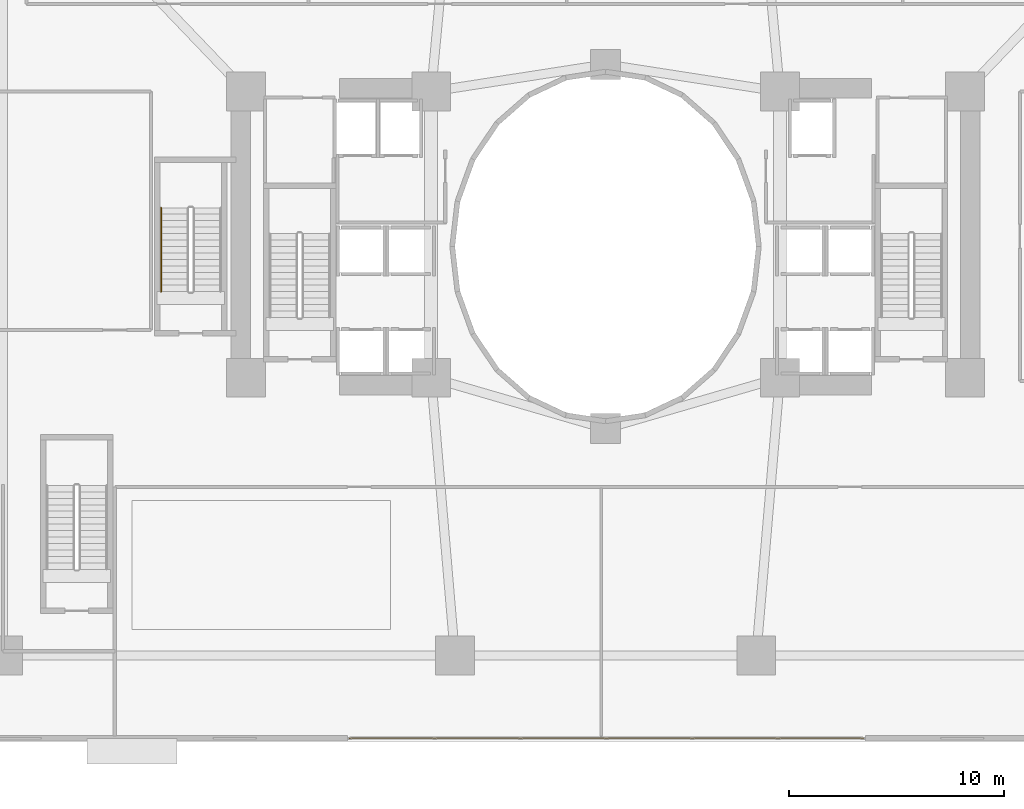
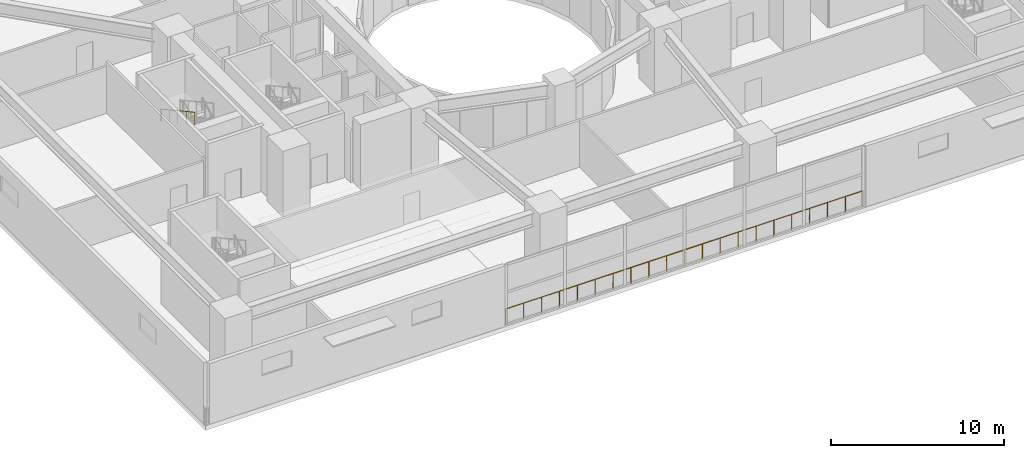
# One storey, part 16 of 20: 2 railings.
"""IFC4 building model written with IfcOpenShell, lengths in metres."""

from ifc_helpers import new_model, si_unit, direction, frame, origin, origin_2d, place, context, subcontext, project, spatial, circle, extrude, material, type_object, element, save


model = new_model("IFC4")

# Units and contexts
model_context = context("Model", 3, precision=1e-05, world=origin(), true_north=direction((0.0, 1.0)))
body_context = subcontext(model_context, "Body", "Model", "MODEL_VIEW")
ifc_project = project(units=[si_unit("LENGTHUNIT", "METRE"), si_unit("AREAUNIT", "SQUARE_METRE"), si_unit("VOLUMEUNIT", "CUBIC_METRE"), si_unit("PLANEANGLEUNIT", "RADIAN"), si_unit("MASSUNIT", "GRAM", prefix="KILO")], contexts=[model_context])

# Site, building, storey
site_placement = place(None, origin())
site = spatial("IfcSite", under=ifc_project, at=site_placement, CompositionType="ELEMENT")
building_placement = place(site_placement, origin())
building = spatial("IfcBuilding", under=site, at=building_placement, Name="Solvane Sanctuary Tower", CompositionType="ELEMENT")
storey_placement = place(building_placement, frame((0.0, 0.0, 18.39990234375)))
storey = spatial("IfcBuildingStorey", under=building, at=storey_placement, Name="L05", CompositionType="ELEMENT", Elevation=18.39990234375)

# Railings
ifc_material = material(Name="Architectural Stainless Steel 316", Category="steel")
railing_type_1 = type_object("IfcRailingType", Name="Railing GR-BALC-1150", PredefinedType="BALUSTRADE", material=ifc_material)
railing_1_placement = place(storey_placement, frame((20.1201171875, 0.14990234375, 0.0)))
element("IfcRailing", 1, at=railing_1_placement, inside=storey, type_object=railing_type_1, Name="L05 Podium Curtain-Wall Sill Guard S2", PredefinedType="BALUSTRADE", context=body_context, shape_type="SweptSolid", body=[
    extrude(circle(Radius=0.02392578125, at=origin_2d()), frame((0.0, 0.0, 1.1259765625), z_axis=(1.0, 0.0, 0.0), x_axis=(0.0, 1.0, 0.0)), (0.0, 0.0, 1.0), 23.83984375),
    extrude(circle(Radius=0.02099609375, at=origin_2d()), origin(), (0.0, 0.0, 1.0), 1.101806640625),
    extrude(circle(Radius=0.02099609375, at=origin_2d()), frame((1.19189453125, 0.0, 0.0)), (0.0, 0.0, 1.0), 1.101806640625),
    extrude(circle(Radius=0.02099609375, at=origin_2d()), frame((2.384033203125, 0.0, 0.0)), (0.0, 0.0, 1.0), 1.101806640625),
    extrude(circle(Radius=0.02099609375, at=origin_2d()), frame((3.575927734375, 0.0, 0.0)), (0.0, 0.0, 1.0), 1.101806640625),
    extrude(circle(Radius=0.02099609375, at=origin_2d()), frame((4.76806640625, 0.0, 0.0)), (0.0, 0.0, 1.0), 1.101806640625),
    extrude(circle(Radius=0.02099609375, at=origin_2d()), frame((5.9599609375, 0.0, 0.0)), (0.0, 0.0, 1.0), 1.101806640625),
    extrude(circle(Radius=0.02099609375, at=origin_2d()), frame((7.15185546875, 0.0, 0.0)), (0.0, 0.0, 1.0), 1.101806640625),
    extrude(circle(Radius=0.02099609375, at=origin_2d()), frame((8.343994140625, 0.0, 0.0)), (0.0, 0.0, 1.0), 1.101806640625),
    extrude(circle(Radius=0.02099609375, at=origin_2d()), frame((9.535888671875, 0.0, 0.0)), (0.0, 0.0, 1.0), 1.101806640625),
    extrude(circle(Radius=0.02099609375, at=origin_2d()), frame((10.72802734375, 0.0, 0.0)), (0.0, 0.0, 1.0), 1.101806640625),
    extrude(circle(Radius=0.02099609375, at=origin_2d()), frame((11.919921875, 0.0, 0.0)), (0.0, 0.0, 1.0), 1.101806640625),
    extrude(circle(Radius=0.02099609375, at=origin_2d()), frame((13.11181640625, 0.0, 0.0)), (0.0, 0.0, 1.0), 1.101806640625),
    extrude(circle(Radius=0.02099609375, at=origin_2d()), frame((14.303955078125, 0.0, 0.0)), (0.0, 0.0, 1.0), 1.101806640625),
    extrude(circle(Radius=0.02099609375, at=origin_2d()), frame((15.495849609375, 0.0, 0.0)), (0.0, 0.0, 1.0), 1.101806640625),
    extrude(circle(Radius=0.02099609375, at=origin_2d()), frame((16.68798828125, 0.0, 0.0)), (0.0, 0.0, 1.0), 1.101806640625),
    extrude(circle(Radius=0.02099609375, at=origin_2d()), frame((17.8798828125, 0.0, 0.0)), (0.0, 0.0, 1.0), 1.101806640625),
    extrude(circle(Radius=0.02099609375, at=origin_2d()), frame((19.07177734375, 0.0, 0.0)), (0.0, 0.0, 1.0), 1.101806640625),
    extrude(circle(Radius=0.02099609375, at=origin_2d()), frame((20.263916015625, 0.0, 0.0)), (0.0, 0.0, 1.0), 1.101806640625),
    extrude(circle(Radius=0.02099609375, at=origin_2d()), frame((21.455810546875, 0.0, 0.0)), (0.0, 0.0, 1.0), 1.101806640625),
    extrude(circle(Radius=0.02099609375, at=origin_2d()), frame((22.64794921875, 0.0, 0.0)), (0.0, 0.0, 1.0), 1.101806640625),
    extrude(circle(Radius=0.02099609375, at=origin_2d()), frame((23.83984375, 0.0, 0.0)), (0.0, 0.0, 1.0), 1.101806640625),
])
railing_type_2 = type_object("IfcRailingType", Name="Railing HR-STAIR-920", PredefinedType="HANDRAIL", material=ifc_material)
railing_2_placement = place(storey_placement, frame((11.35009765625, 24.800048828125, 2.46435546875)))
element("IfcRailing", 2, at=railing_2_placement, inside=storey, type_object=railing_type_2, Name="L05 ST-3 stair handrail 2", PredefinedType="HANDRAIL", context=body_context, shape_type="SweptSolid", body=[
    extrude(circle(Radius=0.02392578125, at=origin_2d()), frame((0.0, 0.0, 0.8759765625), z_axis=(0.0, -0.877101224295, 0.480305571839), x_axis=(1.0, 0.0, 0.0)), (0.0, 0.0, 1.0), 4.446533203125),
    extrude(circle(Radius=0.02099609375, at=origin_2d()), origin(), (0.0, 0.0, 1.0), 0.851806640625),
    extrude(circle(Radius=0.02099609375, at=origin_2d()), frame((0.0, -0.97509765625, 0.533935546875)), (0.0, 0.0, 1.0), 0.851806640625),
    extrude(circle(Radius=0.02099609375, at=origin_2d()), frame((0.0, -1.9501953125, 1.06787109375)), (0.0, 0.0, 1.0), 0.851806640625),
    extrude(circle(Radius=0.02099609375, at=origin_2d()), frame((0.0, -2.925048828125, 1.601806640625)), (0.0, 0.0, 1.0), 0.851806640625),
    extrude(circle(Radius=0.02099609375, at=origin_2d()), frame((0.0, -3.900146484375, 2.1357421875)), (0.0, 0.0, 1.0), 0.851806640625),
])

save(model, "model.ifc")
